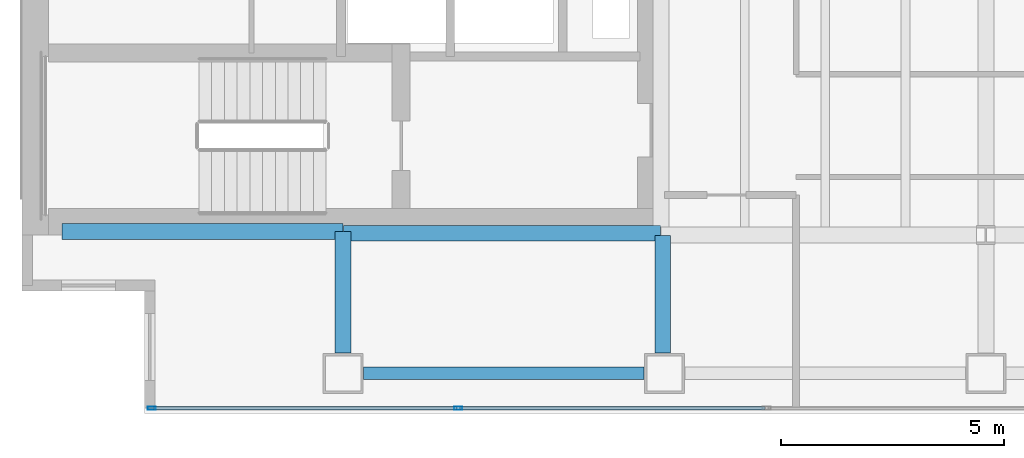
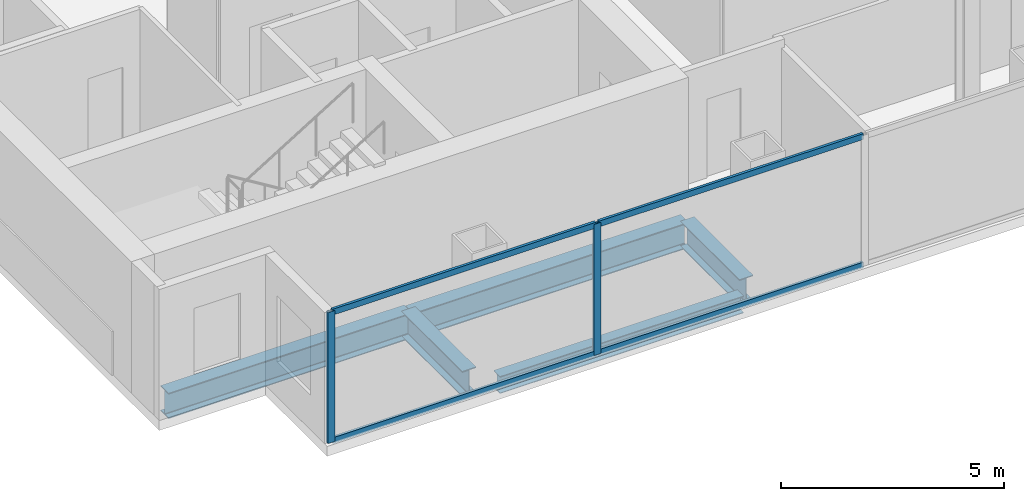
# One storey, part 2 of 24: 6 members, 5 beams, 1 element without a shape of its own.
"""IFC4 building model written with IfcOpenShell, lengths in metres."""

from ifc_helpers import new_model, si_unit, direction, frame, origin, origin_2d, place, context, subcontext, project, spatial, hollow_rectangle, i_section, extrude, material, material_profile, profile_set, type_object, element, aggregate, save


model = new_model("IFC4")

# Units and contexts
model_context = context("Model", 3, precision=1e-05, world=origin(), true_north=direction((0.0, 1.0)))
body_context = subcontext(model_context, "Body", "Model", "MODEL_VIEW")
ifc_project = project(units=[si_unit("LENGTHUNIT", "METRE"), si_unit("AREAUNIT", "SQUARE_METRE"), si_unit("VOLUMEUNIT", "CUBIC_METRE"), si_unit("PLANEANGLEUNIT", "RADIAN"), si_unit("MASSUNIT", "GRAM", prefix="KILO")], contexts=[model_context])

# Site, building, storey
site_placement = place(None, origin())
site = spatial("IfcSite", under=ifc_project, at=site_placement, CompositionType="ELEMENT")
building_placement = place(site_placement, origin())
building = spatial("IfcBuilding", under=site, at=building_placement, Name="Cobrela Telecom Tower", CompositionType="ELEMENT")
storey_placement = place(building_placement, frame((0.0, 0.0, 121.449951171875)))
storey = spatial("IfcBuildingStorey", under=building, at=storey_placement, Name="L30", CompositionType="ELEMENT", Elevation=121.449951171875)

# Beams
ifc_material_1 = material(Name="Steel ASTM A992 Grade 50", Category="steel")
ifc_material_profile_1 = material_profile(ifc_material_1, i_section(OverallWidth=0.35595703125, OverallDepth=0.696044921875, WebThickness=0.015380859375, FlangeThickness=0.024658203125, FilletRadius=0.01806640625, at=origin_2d()), Name="W27X146")
ifc_profile_set_1 = profile_set([ifc_material_profile_1], Name="Steel ASTM A992 Grade 50")
beam_type_1 = type_object("IfcBeamType", Name="BM-GIRD-05", PredefinedType="USERDEFINED", material=ifc_profile_set_1)
beam_1_placement = place(storey_placement, frame((0.905029296875, 7.280029296875, -0.617919921875), z_axis=(1.0, 0.0, 0.0), x_axis=(0.0, 1.0, 0.0)))
element("IfcBeam", 1, at=beam_1_placement, inside=storey, type_object=beam_type_1, Name="L30 Primary Girder X06", ObjectType="GIRDER", PredefinedType="USERDEFINED", context=body_context, shape_type="SweptSolid", body=[
    extrude(i_section(OverallWidth=0.35595703125, OverallDepth=0.696044921875, WebThickness=0.015380859375, FlangeThickness=0.024658203125, FilletRadius=0.01806640625, at=origin_2d()), origin(), (0.0, 0.0, 1.0), 6.2900390625),
])
beam_2_placement = place(storey_placement, frame((7.205078125, 7.239990234375, -0.617919921875), z_axis=(1.0, 0.0, 0.0), x_axis=(0.0, 1.0, 0.0)))
element("IfcBeam", 2, at=beam_2_placement, inside=storey, type_object=beam_type_1, Name="L30 Primary Girder X07", ObjectType="GIRDER", PredefinedType="USERDEFINED", context=body_context, shape_type="SweptSolid", body=[
    extrude(i_section(OverallWidth=0.35595703125, OverallDepth=0.696044921875, WebThickness=0.015380859375, FlangeThickness=0.024658203125, FilletRadius=0.01806640625, at=origin_2d()), origin(), (0.0, 0.0, 1.0), 7.10986328125),
])
beam_3_placement = place(storey_placement, frame((7.199951171875, 4.554931640625, -0.617919921875), z_axis=(0.0, 1.0, 0.0), x_axis=(-1.0, 0.0, 0.0)))
element("IfcBeam", 3, at=beam_3_placement, inside=storey, type_object=beam_type_1, Name="L30 Primary Girder Y31", ObjectType="GIRDER", PredefinedType="USERDEFINED", context=body_context, shape_type="SweptSolid", body=[
    extrude(i_section(OverallWidth=0.35595703125, OverallDepth=0.696044921875, WebThickness=0.015380859375, FlangeThickness=0.024658203125, FilletRadius=0.01806640625, at=origin_2d()), origin(), (0.0, 0.0, 1.0), 2.719970703125),
])
beam_4_placement = place(storey_placement, frame((14.360107421875, 4.554931640625, -0.617919921875), z_axis=(0.0, 1.0, 0.0), x_axis=(-1.0, 0.0, 0.0)))
element("IfcBeam", 4, at=beam_4_placement, inside=storey, type_object=beam_type_1, Name="L30 Primary Girder Y33", ObjectType="GIRDER", PredefinedType="USERDEFINED", context=body_context, shape_type="SweptSolid", body=[
    extrude(i_section(OverallWidth=0.35595703125, OverallDepth=0.696044921875, WebThickness=0.015380859375, FlangeThickness=0.024658203125, FilletRadius=0.01806640625, at=origin_2d()), origin(), (0.0, 0.0, 1.0), 2.64013671875),
])
ifc_material_profile_2 = material_profile(ifc_material_1, i_section(OverallWidth=0.281982421875, OverallDepth=0.467041015625, WebThickness=0.01220703125, FlangeThickness=0.01953125, FilletRadius=0.012939453125, at=origin_2d()), Name="W18X86")
ifc_profile_set_2 = profile_set([ifc_material_profile_2], Name="Steel ASTM A992 Grade 50")
beam_type_2 = type_object("IfcBeamType", Name="BM-SPAND-04", PredefinedType="SPANDREL", material=ifc_profile_set_2)
beam_5_placement = place(storey_placement, frame((7.655029296875, 4.10009765625, -0.50341796875), z_axis=(1.0, 0.0, 0.0), x_axis=(0.0, 1.0, 0.0)))
element("IfcBeam", 5, at=beam_5_placement, inside=storey, type_object=beam_type_2, Name="L30 Perimeter Spandrel X01", PredefinedType="SPANDREL", context=body_context, shape_type="SweptSolid", body=[
    extrude(i_section(OverallWidth=0.281982421875, OverallDepth=0.467041015625, WebThickness=0.01220703125, FlangeThickness=0.01953125, FilletRadius=0.012939453125, at=origin_2d()), origin(), (0.0, 0.0, 1.0), 6.2900390625),
])

# Curtain wall, members
ifc_material_2 = material(Name="Anodized Bronze Aluminium 6063-T6", Category="aluminium")
curtain_wall_type = type_object("IfcCurtainWallType", Name="CW-SYS-TEL", PredefinedType="USERDEFINED", material=ifc_material_2)
curtain_wall_placement = place(storey_placement, origin())
curtain_wall = element("IfcCurtainWall", 6, at=curtain_wall_placement, inside=storey, type_object=curtain_wall_type, Name="L30 Unitised Bronze Curtain Wall 17", ObjectType="UNITISED CURTAIN WALL", PredefinedType="USERDEFINED")
ifc_material_profile_3 = material_profile(ifc_material_2, hollow_rectangle(XDim=0.074951171875, YDim=0.179931640625, WallThickness=0.00390625, at=origin_2d()), Name="ALU 75x180x4")
ifc_profile_set_3 = profile_set([ifc_material_profile_3], Name="Anodized Bronze Aluminium 6063-T6")
member_type_1 = type_object("IfcMemberType", Name="CW-SYS-TEL-MUL", PredefinedType="MULLION", material=ifc_profile_set_3)
member_1_placement = place(storey_placement, frame((9.780029296875, 3.320068359375, 0.0), z_axis=(0.0, 0.0, 1.0), x_axis=(0.0, -1.0, 0.0)))
member_1 = element("IfcMember", 7, at=member_1_placement, type_object=member_type_1, Name="CW-TEL mullion 6", PredefinedType="MULLION", context=body_context, shape_type="SweptSolid", body=[
    extrude(hollow_rectangle(XDim=0.074951171875, YDim=0.179931640625, WallThickness=0.00390625, at=origin_2d()), origin(), (0.0, 0.0, 1.0), 3.580078125),
])
member_2_placement = place(storey_placement, frame((2.907470703125, 3.320068359375, 0.0), z_axis=(0.0, 0.0, 1.0), x_axis=(0.0, -1.0, 0.0)))
member_2 = element("IfcMember", 8, at=member_2_placement, type_object=member_type_1, Name="CW-TEL mullion 7", PredefinedType="MULLION", context=body_context, shape_type="SweptSolid", body=[
    extrude(hollow_rectangle(XDim=0.074951171875, YDim=0.179931640625, WallThickness=0.00390625, at=origin_2d()), origin(), (0.0, 0.0, 1.0), 3.580078125),
])
ifc_material_profile_4 = material_profile(ifc_material_2, hollow_rectangle(XDim=0.070068359375, YDim=0.159912109375, WallThickness=0.00390625, at=origin_2d()), Name="ALU 70x160x4")
ifc_profile_set_4 = profile_set([ifc_material_profile_4], Name="Anodized Bronze Aluminium 6063-T6")
member_type_2 = type_object("IfcMemberType", Name="CW-SYS-TEL-TRN", PredefinedType="USERDEFINED", material=ifc_profile_set_4)
member_3_placement = place(storey_placement, frame((16.652587890625, 3.320068359375, 0.03515625), z_axis=(-1.0, 0.0, 0.0), x_axis=(0.0, -1.0, 0.0)))
member_3 = element("IfcMember", 9, at=member_3_placement, type_object=member_type_2, Name="CW-TEL transom 5.1", ObjectType="TRANSOM", PredefinedType="USERDEFINED", context=body_context, shape_type="SweptSolid", body=[
    extrude(hollow_rectangle(XDim=0.070068359375, YDim=0.159912109375, WallThickness=0.00390625, at=origin_2d()), origin(), (0.0, 0.0, 1.0), 6.835205078125),
])
member_4_placement = place(storey_placement, frame((16.652587890625, 3.320068359375, 3.545166015625), z_axis=(-1.0, 0.0, 0.0), x_axis=(0.0, -1.0, 0.0)))
member_4 = element("IfcMember", 10, at=member_4_placement, type_object=member_type_2, Name="CW-TEL transom 5.2", ObjectType="TRANSOM", PredefinedType="USERDEFINED", context=body_context, shape_type="SweptSolid", body=[
    extrude(hollow_rectangle(XDim=0.070068359375, YDim=0.159912109375, WallThickness=0.00390625, at=origin_2d()), origin(), (0.0, 0.0, 1.0), 6.835205078125),
])
member_5_placement = place(storey_placement, frame((9.742431640625, 3.320068359375, 0.03515625), z_axis=(-1.0, 0.0, 0.0), x_axis=(0.0, -1.0, 0.0)))
member_5 = element("IfcMember", 11, at=member_5_placement, type_object=member_type_2, Name="CW-TEL transom 6.1", ObjectType="TRANSOM", PredefinedType="USERDEFINED", context=body_context, shape_type="SweptSolid", body=[
    extrude(hollow_rectangle(XDim=0.070068359375, YDim=0.159912109375, WallThickness=0.00390625, at=origin_2d()), origin(), (0.0, 0.0, 1.0), 6.79736328125),
])
member_6_placement = place(storey_placement, frame((9.742431640625, 3.320068359375, 3.545166015625), z_axis=(-1.0, 0.0, 0.0), x_axis=(0.0, -1.0, 0.0)))
member_6 = element("IfcMember", 12, at=member_6_placement, type_object=member_type_2, Name="CW-TEL transom 6.2", ObjectType="TRANSOM", PredefinedType="USERDEFINED", context=body_context, shape_type="SweptSolid", body=[
    extrude(hollow_rectangle(XDim=0.070068359375, YDim=0.159912109375, WallThickness=0.00390625, at=origin_2d()), origin(), (0.0, 0.0, 1.0), 6.79736328125),
])
aggregate(curtain_wall, [member_1, member_2, member_3, member_4, member_5, member_6])

save(model, "model.ifc")
